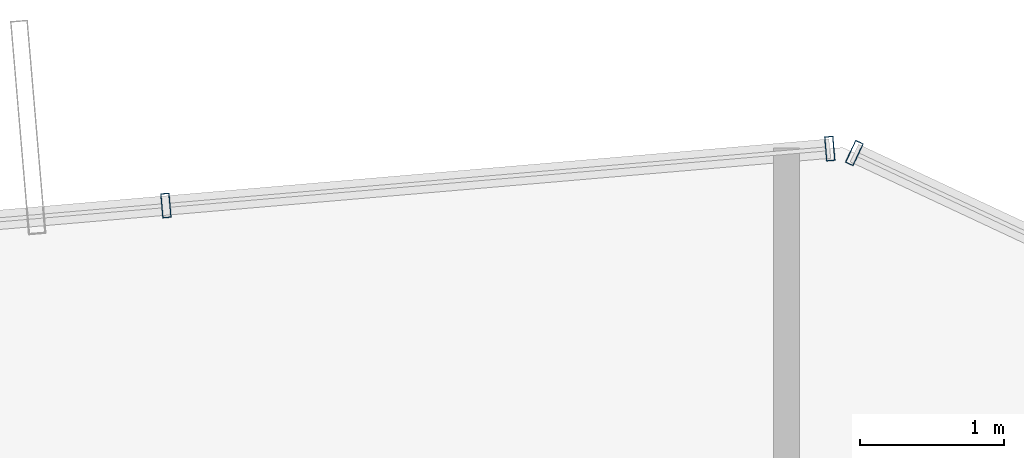
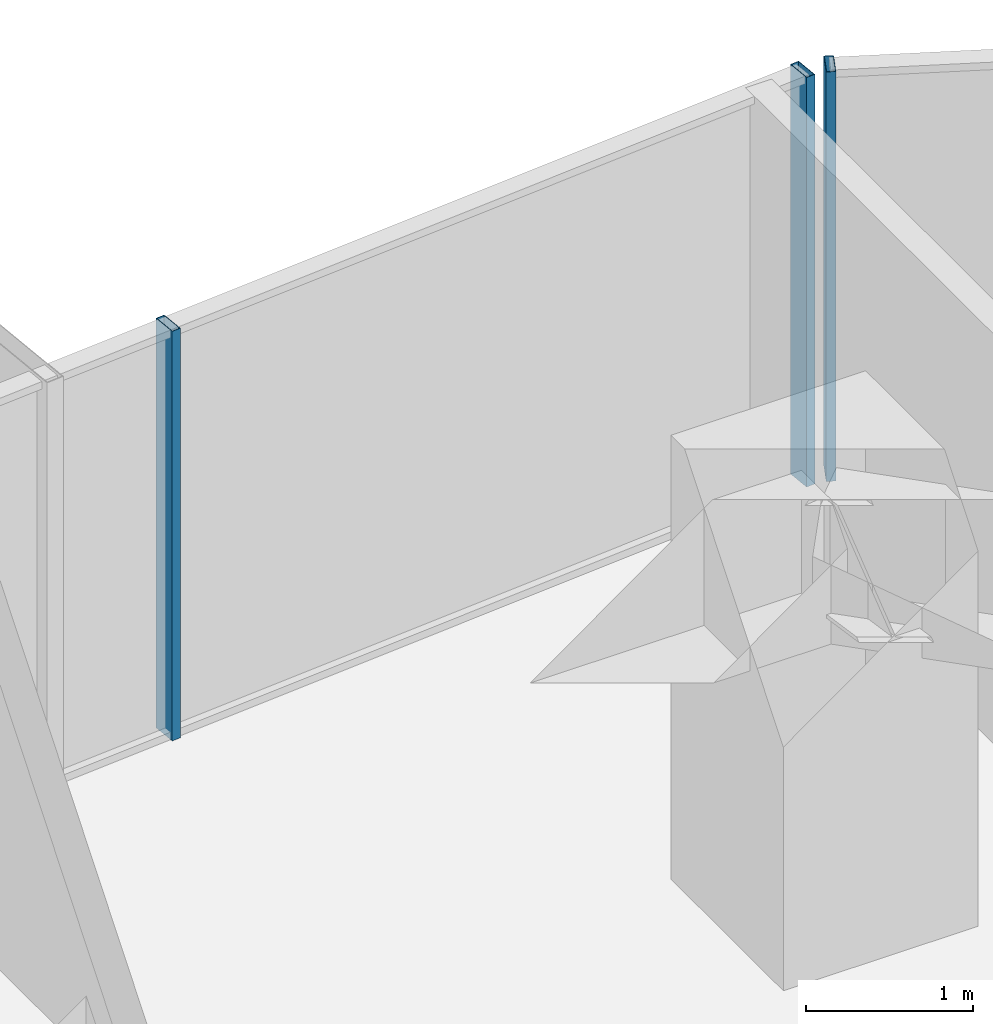
# One storey, part 27 of 37: 3 members, 2 elements without a shape of their own.
"""IFC4 building model written with IfcOpenShell, lengths in metres."""

from ifc_helpers import new_model, si_unit, direction, frame, origin, origin_2d, place, context, subcontext, project, spatial, hollow_rectangle, extrude, source, transform, mapped, material, layer, layer_set, material_profile, profile_set, type_object, element, aggregate, save


model = new_model("IFC4")

# Units and contexts
model_context = context("Model", 3, precision=1e-05, world=origin(), true_north=direction((0.0, 1.0)))
body_context = subcontext(model_context, "Body", "Model", "MODEL_VIEW")
ifc_project = project(units=[si_unit("LENGTHUNIT", "METRE"), si_unit("AREAUNIT", "SQUARE_METRE"), si_unit("VOLUMEUNIT", "CUBIC_METRE"), si_unit("PLANEANGLEUNIT", "RADIAN"), si_unit("MASSUNIT", "GRAM", prefix="KILO")], contexts=[model_context])

# Site, building, storey
site_placement = place(None, origin())
site = spatial("IfcSite", under=ifc_project, at=site_placement, CompositionType="ELEMENT")
building_placement = place(site_placement, origin())
building = spatial("IfcBuilding", under=site, at=building_placement, Name="Veraguas Prism Commons", CompositionType="ELEMENT")
storey_placement = place(building_placement, frame((0.0, 0.0, 40.300048828125)))
storey = spatial("IfcBuildingStorey", under=building, at=storey_placement, Name="L10", CompositionType="ELEMENT", Elevation=40.300048828125)

# Curtain wall, members
ifc_material = material(Name="Anodised aluminium EN AW-6063 T6", Category="aluminium")
ifc_layer = layer(ifc_material, 0.169921875, Name="Unitised Flush Curtain Wall Zone 1", Category="aluminium")
ifc_layer_set = layer_set([ifc_layer], Name="Anodised aluminium EN AW-6063 T6")
curtain_wall_type = type_object("IfcCurtainWallType", Name="Unitised Flush Curtain Wall Zone 1", PredefinedType="NOTDEFINED", material=ifc_layer_set)
curtain_wall_1_placement = place(storey_placement, origin())
curtain_wall_1 = element("IfcCurtainWall", 1, at=curtain_wall_1_placement, inside=storey, type_object=curtain_wall_type, Name="Tower Facade Curtain Wall L10-F2", PredefinedType="NOTDEFINED")
ifc_material_profile = material_profile(ifc_material, hollow_rectangle(XDim=0.06005859375, YDim=0.169921875, WallThickness=0.00390625, at=origin_2d()), Name="AL60X170X4")
ifc_profile_set = profile_set([ifc_material_profile], Name="Anodised aluminium EN AW-6063 T6")
member_type = type_object("IfcMemberType", Name="Curtain Wall Mullion Lower AL 60x170x4", PredefinedType="MULLION", material=ifc_profile_set)
shared_shape = source(origin(), body_context, "Body", "SweptSolid", [
    extrude(hollow_rectangle(XDim=0.06005859375, YDim=0.169921875, WallThickness=0.00390625, at=origin_2d()), origin(), (0.0, 0.0, 1.0), 3.0),
])
member_1_placement = place(storey_placement, frame((31.50244140625, 45.504150390625, 0.0), z_axis=(0.0, 0.0, 1.0), x_axis=(-0.996345296191, -0.085416923137, 0.0)))
member_1 = element("IfcMember", 2, at=member_1_placement, type_object=member_type, Name="CW-Z1 Mullion 1", PredefinedType="MULLION", context=body_context, shape_type="MappedRepresentation", body=[
    mapped(shared_shape, transform((0.0, 0.0, 0.0), scale=1.0)),
])
member_2_placement = place(storey_placement, frame((26.87841796875, 45.107666015625, 0.0), z_axis=(0.0, 0.0, 1.0), x_axis=(-0.996345296191, -0.085416923137, 0.0)))
member_2 = element("IfcMember", 3, at=member_2_placement, type_object=member_type, Name="CW-Z1 Mullion 2", PredefinedType="MULLION", context=body_context, shape_type="MappedRepresentation", body=[
    mapped(shared_shape, transform((0.0, 0.0, 0.0), scale=1.0)),
])
aggregate(curtain_wall_1, [member_1, member_2])

# Curtain wall, member
curtain_wall_2_placement = place(storey_placement, origin())
curtain_wall_2 = element("IfcCurtainWall", 4, at=curtain_wall_2_placement, inside=storey, type_object=curtain_wall_type, Name="Chamfer Curtain Wall L10-C2", PredefinedType="NOTDEFINED")
member_3_placement = place(storey_placement, frame((31.673583984375, 45.473388671875, 0.0), z_axis=(0.0, 0.0, 1.0), x_axis=(-0.905581384863, 0.424172553792, 0.0)))
member_3 = element("IfcMember", 5, at=member_3_placement, type_object=member_type, Name="CW-Z1 Mullion 2", PredefinedType="MULLION", context=body_context, shape_type="MappedRepresentation", body=[
    mapped(shared_shape, transform((0.0, 0.0, 0.0), scale=1.0)),
])
aggregate(curtain_wall_2, [member_3])

save(model, "model.ifc")
